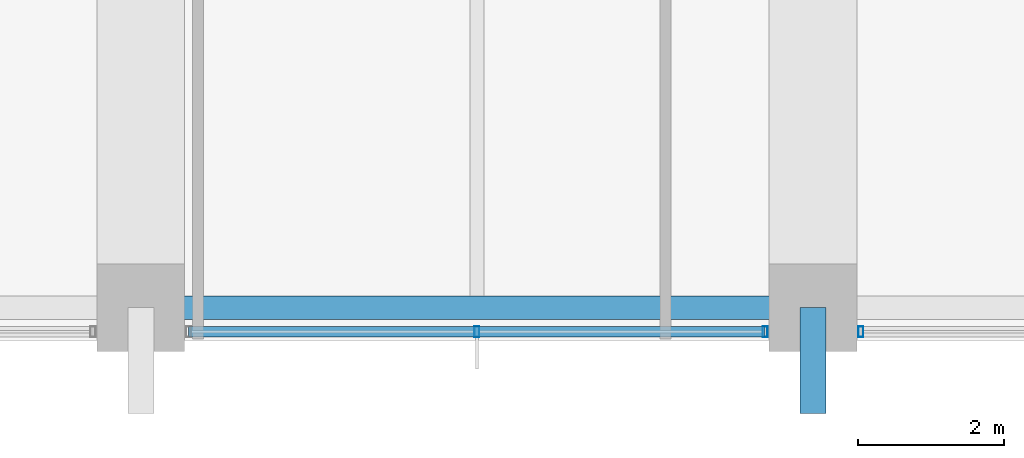
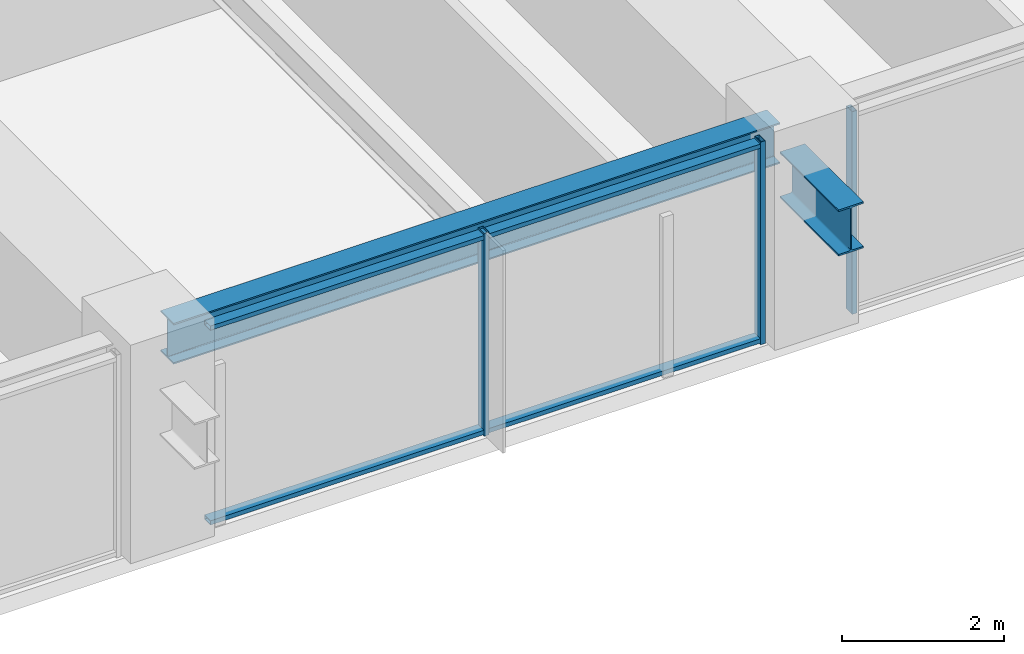
# One storey, part 6 of 39: 5 members, 2 beams, 2 elements without a shape of their own.
"""IFC4 building model written with IfcOpenShell, lengths in metres."""

from ifc_helpers import new_model, si_unit, direction, frame, origin, origin_2d, place, context, subcontext, project, spatial, hollow_rectangle, i_section, extrude, material, material_profile, profile_set, type_object, element, aggregate, save


model = new_model("IFC4")

# Units and contexts
model_context = context("Model", 3, precision=1e-05, world=origin(), true_north=direction((0.0, 1.0)))
body_context = subcontext(model_context, "Body", "Model", "MODEL_VIEW")
ifc_project = project(units=[si_unit("LENGTHUNIT", "METRE"), si_unit("AREAUNIT", "SQUARE_METRE"), si_unit("VOLUMEUNIT", "CUBIC_METRE"), si_unit("PLANEANGLEUNIT", "RADIAN"), si_unit("MASSUNIT", "GRAM", prefix="KILO")], contexts=[model_context])

# Site, building, storey
site_placement = place(None, origin())
site = spatial("IfcSite", under=ifc_project, at=site_placement, CompositionType="ELEMENT")
building_placement = place(site_placement, origin())
building = spatial("IfcBuilding", under=site, at=building_placement, Name="Kolvaren Belvedere", CompositionType="ELEMENT")
storey_placement = place(building_placement, frame((0.0, 0.0, 40.300048828125)))
storey = spatial("IfcBuildingStorey", under=building, at=storey_placement, Name="L11", CompositionType="ELEMENT", Elevation=40.300048828125)

# Beams
ifc_material_1 = material(Name="Structural steel ASTM A992 Grade 50", Category="steel")
ifc_material_profile_1 = material_profile(ifc_material_1, i_section(OverallWidth=0.35498046875, OverallDepth=0.696044921875, WebThickness=0.015380859375, FlangeThickness=0.02490234375, FilletRadius=0.02197265625, at=origin_2d()), Name="W27X146")
ifc_profile_set_1 = profile_set([ifc_material_profile_1], Name="Structural steel ASTM A992 Grade 50")
beam_type_1 = type_object("IfcBeamType", Name="BM-CANT-BAL", PredefinedType="BEAM", material=ifc_profile_set_1)
beam_1_placement = place(storey_placement, frame((4.60009765625, -21.550048828125, 2.141845703125), z_axis=(0.0, -1.0, 0.0), x_axis=(1.0, 0.0, 0.0)))
element("IfcBeam", 1, at=beam_1_placement, inside=storey, type_object=beam_type_1, Name="L11 South Picture-Frame Column Corbel P", PredefinedType="BEAM", context=body_context, shape_type="SweptSolid", body=[
    extrude(i_section(OverallWidth=0.35498046875, OverallDepth=0.696044921875, WebThickness=0.015380859375, FlangeThickness=0.02490234375, FilletRadius=0.02197265625, at=origin_2d()), origin(), (0.0, 0.0, 1.0), 1.449951171875),
])
ifc_material_2 = material(Name="Structural steel ASTM A992 Grade 50", Category="steel")
ifc_material_profile_2 = material_profile(ifc_material_2, i_section(OverallWidth=0.324951171875, OverallDepth=0.615966796875, WebThickness=0.013916015625, FlangeThickness=0.021484375, FilletRadius=0.02001953125, at=origin_2d()), Name="W24X117")
ifc_profile_set_2 = profile_set([ifc_material_profile_2], Name="Structural steel ASTM A992 Grade 50")
beam_type_2 = type_object("IfcBeamType", Name="BM-SPAN-W24X117", PredefinedType="SPANDREL", material=ifc_profile_set_2)
beam_2_placement = place(storey_placement, frame((-4.330078125, -21.550048828125, 2.751953125), z_axis=(1.0, 0.0, 0.0), x_axis=(0.0, 1.0, 0.0)))
element("IfcBeam", 2, at=beam_2_placement, inside=storey, type_object=beam_type_2, Name="L11 Perimeter Spandrel S2-S3", PredefinedType="SPANDREL", context=body_context, shape_type="SweptSolid", body=[
    extrude(i_section(OverallWidth=0.324951171875, OverallDepth=0.615966796875, WebThickness=0.013916015625, FlangeThickness=0.021484375, FilletRadius=0.02001953125, at=origin_2d()), origin(), (0.0, 0.0, 1.0), 8.66015625),
])

# Curtain wall, member
ifc_material_3 = material(Name="Anodised pale-metal aluminium AA 6063-T6", Category="aluminium")
curtain_wall_type = type_object("IfcCurtainWallType", Name="CW-Z1-LOW", PredefinedType="NOTDEFINED", material=ifc_material_3)
curtain_wall_1_placement = place(storey_placement, origin())
curtain_wall_1 = element("IfcCurtainWall", 3, at=curtain_wall_1_placement, inside=storey, type_object=curtain_wall_type, Name="L11 Unitised Curtain Wall FCW-L11-S-B1", PredefinedType="NOTDEFINED")
ifc_material_4 = material(Name="Anodised pale-metal aluminium AA 6063-T6", Category="aluminium")
ifc_material_profile_3 = material_profile(ifc_material_4, hollow_rectangle(XDim=0.070068359375, YDim=0.14990234375, WallThickness=0.004150390625, at=origin_2d()), Name="ALU-MUL-150X70")
ifc_profile_set_3 = profile_set([ifc_material_profile_3], Name="Anodised pale-metal aluminium AA 6063-T6")
member_type_1 = type_object("IfcMemberType", Name="CW-MUL-150", PredefinedType="MULLION", material=ifc_profile_set_3)
member_1_placement = place(storey_placement, frame((5.2548828125, -21.8798828125, 0.0), z_axis=(0.0, 0.0, 1.0), x_axis=(1.0, 0.0, 0.0)))
member_1 = element("IfcMember", 4, at=member_1_placement, type_object=member_type_1, Name="FCW-L11-S-B1 Unitised Mullion 3", PredefinedType="MULLION", context=body_context, shape_type="SweptSolid", body=[
    extrude(hollow_rectangle(XDim=0.070068359375, YDim=0.14990234375, WallThickness=0.004150390625, at=origin_2d()), origin(), (0.0, 0.0, 1.0), 3.06005859375),
])
aggregate(curtain_wall_1, [member_1])

# Curtain wall, members
curtain_wall_2_placement = place(storey_placement, origin())
curtain_wall_2 = element("IfcCurtainWall", 5, at=curtain_wall_2_placement, inside=storey, type_object=curtain_wall_type, Name="L11 Unitised Curtain Wall FCW-L11-S-B2", PredefinedType="NOTDEFINED")
member_2_placement = place(storey_placement, frame((3.945068359375, -21.8798828125, 0.0), z_axis=(0.0, 0.0, 1.0), x_axis=(1.0, 0.0, 0.0)))
member_2 = element("IfcMember", 6, at=member_2_placement, type_object=member_type_1, Name="FCW-L11-S-B2 Unitised Mullion 1", PredefinedType="MULLION", context=body_context, shape_type="SweptSolid", body=[
    extrude(hollow_rectangle(XDim=0.070068359375, YDim=0.14990234375, WallThickness=0.004150390625, at=origin_2d()), origin(), (0.0, 0.0, 1.0), 3.06005859375),
])
member_3_placement = place(storey_placement, frame((0.0, -21.8798828125, 0.0), z_axis=(0.0, 0.0, 1.0), x_axis=(1.0, 0.0, 0.0)))
member_3 = element("IfcMember", 7, at=member_3_placement, type_object=member_type_1, Name="FCW-L11-S-B2 Unitised Mullion 2", PredefinedType="MULLION", context=body_context, shape_type="SweptSolid", body=[
    extrude(hollow_rectangle(XDim=0.070068359375, YDim=0.14990234375, WallThickness=0.004150390625, at=origin_2d()), origin(), (0.0, 0.0, 1.0), 3.06005859375),
])
ifc_material_5 = material(Name="Anodised pale-metal aluminium AA 6063-T6", Category="aluminium")
ifc_material_profile_4 = material_profile(ifc_material_5, hollow_rectangle(XDim=0.06494140625, YDim=0.14990234375, WallThickness=0.00390625, at=origin_2d()), Name="ALU-TRN-150X65")
ifc_profile_set_4 = profile_set([ifc_material_profile_4], Name="Anodised pale-metal aluminium AA 6063-T6")
member_type_2 = type_object("IfcMemberType", Name="CW-TRN-150", PredefinedType="USERDEFINED", material=ifc_profile_set_4)
member_4_placement = place(storey_placement, frame((3.945068359375, -21.8798828125, 0.06005859375), z_axis=(-1.0, 0.0, 0.0), x_axis=(0.0, 0.0, 1.0)))
member_4 = element("IfcMember", 8, at=member_4_placement, type_object=member_type_2, Name="FCW-L11-S-B2 Sill Transom", ObjectType="TRANSOM", PredefinedType="USERDEFINED", context=body_context, shape_type="SweptSolid", body=[
    extrude(hollow_rectangle(XDim=0.06494140625, YDim=0.14990234375, WallThickness=0.00390625, at=origin_2d()), origin(), (0.0, 0.0, 1.0), 7.89013671875),
])
member_5_placement = place(storey_placement, frame((3.945068359375, -21.8798828125, 3.0), z_axis=(-1.0, 0.0, 0.0), x_axis=(0.0, 0.0, 1.0)))
member_5 = element("IfcMember", 9, at=member_5_placement, type_object=member_type_2, Name="FCW-L11-S-B2 Head Transom", ObjectType="TRANSOM", PredefinedType="USERDEFINED", context=body_context, shape_type="SweptSolid", body=[
    extrude(hollow_rectangle(XDim=0.06494140625, YDim=0.14990234375, WallThickness=0.00390625, at=origin_2d()), origin(), (0.0, 0.0, 1.0), 7.89013671875),
])
aggregate(curtain_wall_2, [member_2, member_3, member_4, member_5])

save(model, "model.ifc")
